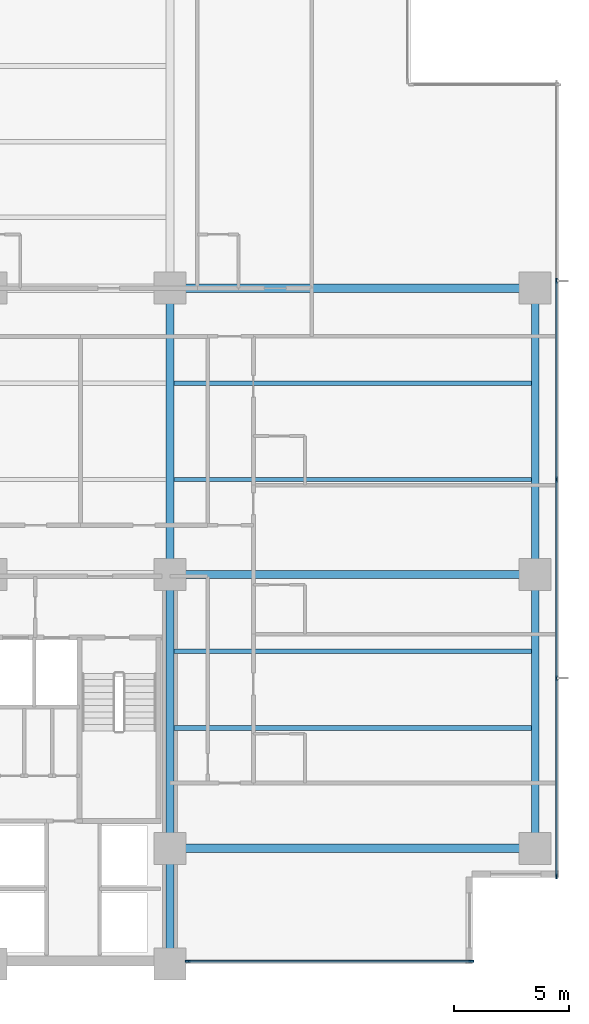
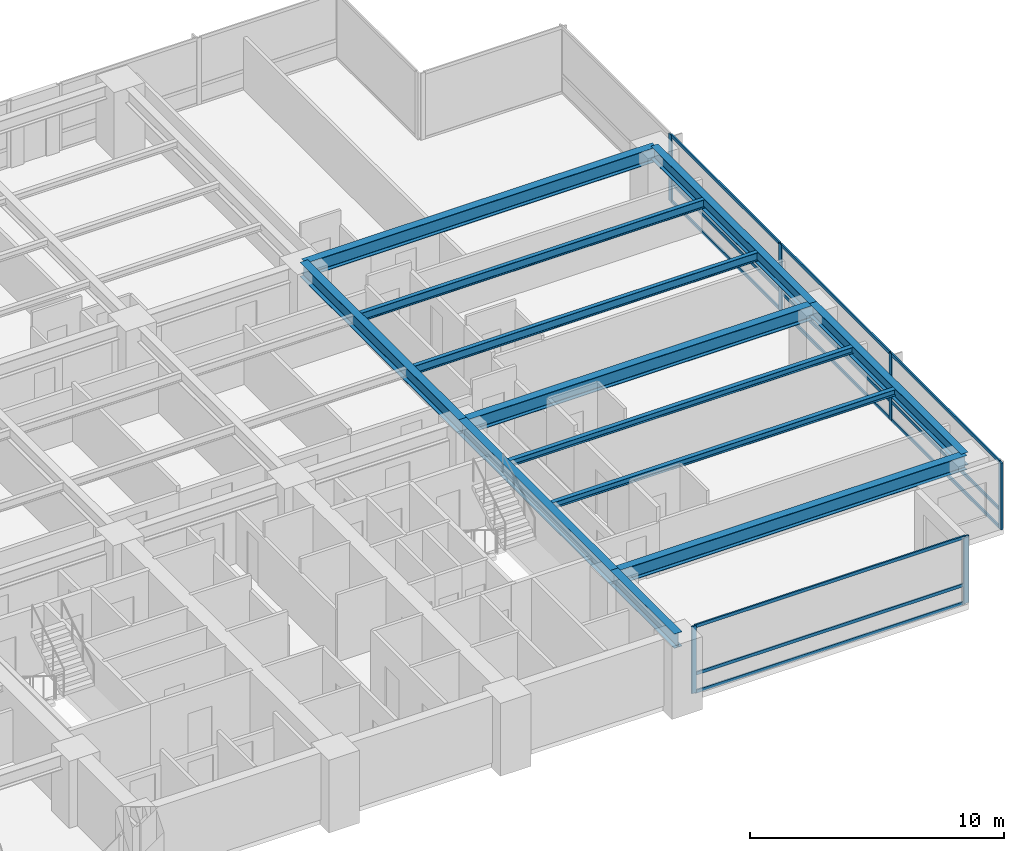
# One storey, part 3 of 16: 18 members, 12 beams, 2 elements without a shape of their own.
"""IFC4 building model written with IfcOpenShell, lengths in metres."""

from ifc_helpers import new_model, si_unit, direction, frame, origin, origin_2d, place, context, subcontext, project, spatial, rectangle, i_section, extrude, material, layer, layer_set, material_profile, profile_set, type_object, element, aggregate, save


model = new_model("IFC4")

# Units and contexts
model_context = context("Model", 3, precision=1e-05, world=origin(), true_north=direction((0.0, 1.0)))
body_context = subcontext(model_context, "Body", "Model", "MODEL_VIEW")
ifc_project = project(units=[si_unit("LENGTHUNIT", "METRE"), si_unit("AREAUNIT", "SQUARE_METRE"), si_unit("VOLUMEUNIT", "CUBIC_METRE"), si_unit("PLANEANGLEUNIT", "RADIAN"), si_unit("MASSUNIT", "GRAM", prefix="KILO")], contexts=[model_context])

# Site, building, storey
site_placement = place(None, origin())
site = spatial("IfcSite", under=ifc_project, at=site_placement, CompositionType="ELEMENT")
building_placement = place(site_placement, origin())
building = spatial("IfcBuilding", under=site, at=building_placement, Name="Qalmaran Belvedere Hotel", CompositionType="ELEMENT")
storey_placement = place(building_placement, frame((0.0, 0.0, 50.89990234375)))
storey = spatial("IfcBuildingStorey", under=building, at=storey_placement, Name="L12", CompositionType="ELEMENT", Elevation=50.89990234375)

# Beams
ifc_material_1 = material(Name="Steel S355JR", Category="steel")
ifc_material_profile_1 = material_profile(ifc_material_1, i_section(OverallWidth=0.202880859375, OverallDepth=0.302978515625, WebThickness=0.007568359375, FlangeThickness=0.01318359375, FilletRadius=0.012939453125, at=origin_2d()), Name="W310X60")
ifc_profile_set_1 = profile_set([ifc_material_profile_1], Name="Steel S355JR")
beam_type_1 = type_object("IfcBeamType", Name="BM-JST-W310X60", PredefinedType="JOIST", material=ifc_profile_set_1)
for number, where, z_axis, x_axis, name in (
    (1, (44.9755859375, 13.800048828125, 3.068603515625), (1.0, 0.0, 0.0), (0.0, 1.0, 0.0), "L12 East Wing Joist 039"),
    (2, (44.9755859375, 17.14990234375, 3.068603515625), (1.0, 0.0, 0.0), (0.0, 1.0, 0.0), "L12 East Wing Joist 041"),
):
    element("IfcBeam", number, at=place(storey_placement, frame(where, z_axis=z_axis, x_axis=x_axis)), inside=storey, type_object=beam_type_1, Name=name, PredefinedType="JOIST", context=body_context, shape_type="SweptSolid", body=[
        extrude(i_section(OverallWidth=0.202880859375, OverallDepth=0.302978515625, WebThickness=0.007568359375, FlangeThickness=0.01318359375, FilletRadius=0.012939453125, at=origin_2d()), origin(), (0.0, 0.0, 1.0), 15.61279296875),
    ])
ifc_material_profile_2 = material_profile(ifc_material_1, i_section(OverallWidth=0.180908203125, OverallDepth=0.4169921875, WebThickness=0.010986328125, FlangeThickness=0.018310546875, FilletRadius=0.014892578125, at=origin_2d()), Name="W410X85")
ifc_profile_set_2 = profile_set([ifc_material_profile_2], Name="Steel S355JR")
beam_type_2 = type_object("IfcBeamType", Name="BM-SB1-W410X85", PredefinedType="BEAM", material=ifc_profile_set_2)
for number, where, z_axis, x_axis, name in (
    (3, (44.9755859375, 24.64990234375, 3.01171875), (1.0, 0.0, 0.0), (0.0, 1.0, 0.0), "L12 East Secondary Beam 032"),
    (4, (44.9755859375, 28.85009765625, 3.01171875), (1.0, 0.0, 0.0), (0.0, 1.0, 0.0), "L12 East Secondary Beam 037"),
):
    element("IfcBeam", number, at=place(storey_placement, frame(where, z_axis=z_axis, x_axis=x_axis)), inside=storey, type_object=beam_type_2, Name=name, PredefinedType="BEAM", context=body_context, shape_type="SweptSolid", body=[
        extrude(i_section(OverallWidth=0.180908203125, OverallDepth=0.4169921875, WebThickness=0.010986328125, FlangeThickness=0.018310546875, FilletRadius=0.014892578125, at=origin_2d()), origin(), (0.0, 0.0, 1.0), 15.61279296875),
    ])
ifc_material_profile_3 = material_profile(ifc_material_1, i_section(OverallWidth=0.326904296875, OverallDepth=0.6220703125, WebThickness=0.015380859375, FlangeThickness=0.0244140625, FilletRadius=0.02001953125, at=origin_2d()), Name="W610X195")
ifc_profile_set_3 = profile_set([ifc_material_profile_3], Name="Steel S355JR")
beam_type_3 = type_object("IfcBeamType", Name="BM-SP1-W610X195", PredefinedType="SPANDREL", material=ifc_profile_set_3)
beam_1_placement = place(storey_placement, frame((60.75, 8.550048828125, 2.9091796875), z_axis=(0.0, 1.0, 0.0), x_axis=(-1.0, 0.0, 0.0)))
element("IfcBeam", 5, at=beam_1_placement, inside=storey, type_object=beam_type_3, Name="L12 Perimeter Spandrel 03", PredefinedType="SPANDREL", context=body_context, shape_type="SweptSolid", body=[
    extrude(i_section(OverallWidth=0.326904296875, OverallDepth=0.6220703125, WebThickness=0.015380859375, FlangeThickness=0.0244140625, FilletRadius=0.02001953125, at=origin_2d()), origin(), (0.0, 0.0, 1.0), 11.949951171875),
])
beam_2_placement = place(storey_placement, frame((60.75, 20.5, 2.9091796875), z_axis=(0.0, 1.0, 0.0), x_axis=(-1.0, 0.0, 0.0)))
element("IfcBeam", 6, at=beam_2_placement, inside=storey, type_object=beam_type_3, Name="L12 Perimeter Spandrel 04", PredefinedType="SPANDREL", context=body_context, shape_type="SweptSolid", body=[
    extrude(i_section(OverallWidth=0.326904296875, OverallDepth=0.6220703125, WebThickness=0.015380859375, FlangeThickness=0.0244140625, FilletRadius=0.02001953125, at=origin_2d()), origin(), (0.0, 0.0, 1.0), 12.5),
])
ifc_material_profile_4 = material_profile(ifc_material_1, i_section(OverallWidth=0.35498046875, OverallDepth=0.695068359375, WebThickness=0.015380859375, FlangeThickness=0.02490234375, FilletRadius=0.02197265625, at=origin_2d()), Name="W690X217")
ifc_profile_set_4 = profile_set([ifc_material_profile_4], Name="Steel S355JR")
beam_type_4 = type_object("IfcBeamType", Name="BM-Z1-W690X217", PredefinedType="USERDEFINED", material=ifc_profile_set_4)
beam_3_placement = place(storey_placement, frame((44.800048828125, 20.5, 2.87255859375), z_axis=(0.0, 1.0, 0.0), x_axis=(-1.0, 0.0, 0.0)))
element("IfcBeam", 7, at=beam_3_placement, inside=storey, type_object=beam_type_4, Name="L12 Mid-Plate N-S Girder 20", ObjectType="GIRDER", PredefinedType="USERDEFINED", context=body_context, shape_type="SweptSolid", body=[
    extrude(i_section(OverallWidth=0.35498046875, OverallDepth=0.695068359375, WebThickness=0.015380859375, FlangeThickness=0.02490234375, FilletRadius=0.02197265625, at=origin_2d()), origin(), (0.0, 0.0, 1.0), 12.5),
])
beam_4_placement = place(storey_placement, frame((44.800048828125, 3.5, 2.87255859375), z_axis=(0.0, 1.0, 0.0), x_axis=(-1.0, 0.0, 0.0)))
element("IfcBeam", 8, at=beam_4_placement, inside=storey, type_object=beam_type_4, Name="L12 East Core Edge Girder A", ObjectType="GIRDER", PredefinedType="USERDEFINED", context=body_context, shape_type="SweptSolid", body=[
    extrude(i_section(OverallWidth=0.35498046875, OverallDepth=0.695068359375, WebThickness=0.015380859375, FlangeThickness=0.02490234375, FilletRadius=0.02197265625, at=origin_2d()), origin(), (0.0, 0.0, 1.0), 5.050048828125),
])
beam_5_placement = place(storey_placement, frame((44.800048828125, 8.550048828125, 2.87255859375), z_axis=(0.0, 1.0, 0.0), x_axis=(-1.0, 0.0, 0.0)))
element("IfcBeam", 9, at=beam_5_placement, inside=storey, type_object=beam_type_4, Name="L12 East Core Edge Girder B", ObjectType="GIRDER", PredefinedType="USERDEFINED", context=body_context, shape_type="SweptSolid", body=[
    extrude(i_section(OverallWidth=0.35498046875, OverallDepth=0.695068359375, WebThickness=0.015380859375, FlangeThickness=0.02490234375, FilletRadius=0.02197265625, at=origin_2d()), origin(), (0.0, 0.0, 1.0), 11.949951171875),
])
for number, where, z_axis, x_axis, name in (
    (10, (44.800048828125, 8.550048828125, 2.87255859375), (1.0, 0.0, 0.0), (0.0, 1.0, 0.0), "L12 East Wing Girder 25"),
    (11, (44.800048828125, 20.5, 2.87255859375), (1.0, 0.0, 0.0), (0.0, 1.0, 0.0), "L12 East Wing Girder 26"),
    (12, (44.800048828125, 33.0, 2.87255859375), (1.0, 0.0, 0.0), (0.0, 1.0, 0.0), "L12 East Wing Girder 27"),
):
    element("IfcBeam", number, at=place(storey_placement, frame(where, z_axis=z_axis, x_axis=x_axis)), inside=storey, type_object=beam_type_4, Name=name, ObjectType="GIRDER", PredefinedType="USERDEFINED", context=body_context, shape_type="SweptSolid", body=[
        extrude(i_section(OverallWidth=0.35498046875, OverallDepth=0.695068359375, WebThickness=0.015380859375, FlangeThickness=0.02490234375, FilletRadius=0.02197265625, at=origin_2d()), origin(), (0.0, 0.0, 1.0), 15.949951171875),
    ])

# Curtain wall, members
ifc_material_2 = material(Name="Anodised Bronze Aluminium", Category="aluminium")
ifc_layer = layer(ifc_material_2, 0.2099609375, Name="Anodised Bronze Aluminium")
ifc_layer_set = layer_set([ifc_layer], Name="Anodised Bronze Aluminium")
curtain_wall_type = type_object("IfcCurtainWallType", Name="CW2-TOWER-LOWER", PredefinedType="NOTDEFINED", material=ifc_layer_set)
curtain_wall_1_placement = place(storey_placement, origin())
curtain_wall_1 = element("IfcCurtainWall", 13, at=curtain_wall_1_placement, inside=storey, type_object=curtain_wall_type, Name="L12 Curtain Wall CW2", PredefinedType="NOTDEFINED")
ifc_material_profile_5 = material_profile(ifc_material_2, rectangle(XDim=0.074951171875, YDim=0.219970703125, at=origin_2d()), Name="CWM75X220")
ifc_profile_set_5 = profile_set([ifc_material_profile_5], Name="Anodised Bronze Aluminium")
member_type_1 = type_object("IfcMemberType", Name="CWM-75X220", PredefinedType="MULLION", material=ifc_profile_set_5)
member_1_placement = place(storey_placement, frame((45.577392578125, 3.6201171875, 0.0), z_axis=(0.0, 0.0, 1.0), x_axis=(0.0, 1.0, 0.0)))
member_1 = element("IfcMember", 14, at=member_1_placement, type_object=member_type_1, Name="CW2 mullion 1", PredefinedType="MULLION", context=body_context, shape_type="SweptSolid", body=[
    extrude(rectangle(XDim=0.074951171875, YDim=0.219970703125, at=origin_2d()), origin(), (0.0, 0.0, 1.0), 3.22021484375),
])
member_2_placement = place(storey_placement, frame((57.96240234375, 3.6201171875, 0.0), z_axis=(0.0, 0.0, 1.0), x_axis=(0.0, 1.0, 0.0)))
member_2 = element("IfcMember", 15, at=member_2_placement, type_object=member_type_1, Name="CW2 mullion 2", PredefinedType="MULLION", context=body_context, shape_type="SweptSolid", body=[
    extrude(rectangle(XDim=0.074951171875, YDim=0.219970703125, at=origin_2d()), origin(), (0.0, 0.0, 1.0), 3.22021484375),
])

curtain_wall_2_placement = place(storey_placement, origin())
curtain_wall_2 = element("IfcCurtainWall", 16, at=curtain_wall_2_placement, inside=storey, type_object=curtain_wall_type, Name="L12 Curtain Wall CW2", PredefinedType="NOTDEFINED")
member_3_placement = place(storey_placement, frame((61.679931640625, 7.33740234375, 0.0), z_axis=(0.0, 0.0, 1.0), x_axis=(-1.0, 0.0, 0.0)))
member_3 = element("IfcMember", 17, at=member_3_placement, type_object=member_type_1, Name="CW2 mullion 1", PredefinedType="MULLION", context=body_context, shape_type="SweptSolid", body=[
    extrude(rectangle(XDim=0.074951171875, YDim=0.219970703125, at=origin_2d()), origin(), (0.0, 0.0, 1.0), 3.22021484375),
])
member_4_placement = place(storey_placement, frame((61.679931640625, 15.97509765625, 0.0), z_axis=(0.0, 0.0, 1.0), x_axis=(-1.0, 0.0, 0.0)))
member_4 = element("IfcMember", 18, at=member_4_placement, type_object=member_type_1, Name="CW2 mullion 2", PredefinedType="MULLION", context=body_context, shape_type="SweptSolid", body=[
    extrude(rectangle(XDim=0.074951171875, YDim=0.219970703125, at=origin_2d()), origin(), (0.0, 0.0, 1.0), 3.22021484375),
])
member_5_placement = place(storey_placement, frame((61.679931640625, 24.64990234375, 0.0), z_axis=(0.0, 0.0, 1.0), x_axis=(-1.0, 0.0, 0.0)))
member_5 = element("IfcMember", 19, at=member_5_placement, type_object=member_type_1, Name="CW2 mullion 3", PredefinedType="MULLION", context=body_context, shape_type="SweptSolid", body=[
    extrude(rectangle(XDim=0.074951171875, YDim=0.219970703125, at=origin_2d()), origin(), (0.0, 0.0, 1.0), 3.22021484375),
])
member_6_placement = place(storey_placement, frame((61.679931640625, 33.324951171875, 0.0), z_axis=(0.0, 0.0, 1.0), x_axis=(-1.0, 0.0, 0.0)))
member_6 = element("IfcMember", 20, at=member_6_placement, type_object=member_type_1, Name="CW2 mullion 4", PredefinedType="MULLION", context=body_context, shape_type="SweptSolid", body=[
    extrude(rectangle(XDim=0.074951171875, YDim=0.219970703125, at=origin_2d()), origin(), (0.0, 0.0, 1.0), 3.22021484375),
])

# Member
ifc_material_profile_6 = material_profile(ifc_material_2, rectangle(XDim=0.070068359375, YDim=0.14990234375, at=origin_2d()), Name="CWT70X150")
ifc_profile_set_6 = profile_set([ifc_material_profile_6], Name="Anodised Bronze Aluminium")
member_type_2 = type_object("IfcMemberType", Name="CWT-70X150", PredefinedType="USERDEFINED", material=ifc_profile_set_6)
member_7_placement = place(storey_placement, frame((45.614990234375, 3.6201171875, 0.03515625), z_axis=(1.0, 0.0, 0.0), x_axis=(0.0, 1.0, 0.0)))
member_7 = element("IfcMember", 21, at=member_7_placement, type_object=member_type_2, Name="CW2 transom 1.1", ObjectType="TRANSOM", PredefinedType="USERDEFINED", context=body_context, shape_type="SweptSolid", body=[
    extrude(rectangle(XDim=0.070068359375, YDim=0.14990234375, at=origin_2d()), origin(), (0.0, 0.0, 1.0), 12.31005859375),
])

member_8_placement = place(storey_placement, frame((45.614990234375, 3.6201171875, 0.901611328125), z_axis=(1.0, 0.0, 0.0), x_axis=(0.0, 1.0, 0.0)))
member_8 = element("IfcMember", 22, at=member_8_placement, type_object=member_type_2, Name="CW2 transom 1.2", ObjectType="TRANSOM", PredefinedType="USERDEFINED", context=body_context, shape_type="SweptSolid", body=[
    extrude(rectangle(XDim=0.070068359375, YDim=0.14990234375, at=origin_2d()), origin(), (0.0, 0.0, 1.0), 12.31005859375),
])

member_9_placement = place(storey_placement, frame((45.614990234375, 3.6201171875, 3.18505859375), z_axis=(1.0, 0.0, 0.0), x_axis=(0.0, 1.0, 0.0)))
member_9 = element("IfcMember", 23, at=member_9_placement, type_object=member_type_2, Name="CW2 transom 1.3", ObjectType="TRANSOM", PredefinedType="USERDEFINED", context=body_context, shape_type="SweptSolid", body=[
    extrude(rectangle(XDim=0.070068359375, YDim=0.14990234375, at=origin_2d()), origin(), (0.0, 0.0, 1.0), 12.31005859375),
])

aggregate(curtain_wall_1, [member_1, member_2, member_7, member_8, member_9])

member_10_placement = place(storey_placement, frame((61.679931640625, 7.375, 0.03515625), z_axis=(0.0, 1.0, 0.0), x_axis=(-1.0, 0.0, 0.0)))
member_10 = element("IfcMember", 24, at=member_10_placement, type_object=member_type_2, Name="CW2 transom 1.1", ObjectType="TRANSOM", PredefinedType="USERDEFINED", context=body_context, shape_type="SweptSolid", body=[
    extrude(rectangle(XDim=0.070068359375, YDim=0.14990234375, at=origin_2d()), origin(), (0.0, 0.0, 1.0), 8.5625),
])

member_11_placement = place(storey_placement, frame((61.679931640625, 7.375, 0.901611328125), z_axis=(0.0, 1.0, 0.0), x_axis=(-1.0, 0.0, 0.0)))
member_11 = element("IfcMember", 25, at=member_11_placement, type_object=member_type_2, Name="CW2 transom 1.2", ObjectType="TRANSOM", PredefinedType="USERDEFINED", context=body_context, shape_type="SweptSolid", body=[
    extrude(rectangle(XDim=0.070068359375, YDim=0.14990234375, at=origin_2d()), origin(), (0.0, 0.0, 1.0), 8.5625),
])

member_12_placement = place(storey_placement, frame((61.679931640625, 7.375, 3.18505859375), z_axis=(0.0, 1.0, 0.0), x_axis=(-1.0, 0.0, 0.0)))
member_12 = element("IfcMember", 26, at=member_12_placement, type_object=member_type_2, Name="CW2 transom 1.3", ObjectType="TRANSOM", PredefinedType="USERDEFINED", context=body_context, shape_type="SweptSolid", body=[
    extrude(rectangle(XDim=0.070068359375, YDim=0.14990234375, at=origin_2d()), origin(), (0.0, 0.0, 1.0), 8.5625),
])

member_13_placement = place(storey_placement, frame((61.679931640625, 16.012451171875, 0.03515625), z_axis=(0.0, 1.0, 0.0), x_axis=(-1.0, 0.0, 0.0)))
member_13 = element("IfcMember", 27, at=member_13_placement, type_object=member_type_2, Name="CW2 transom 2.1", ObjectType="TRANSOM", PredefinedType="USERDEFINED", context=body_context, shape_type="SweptSolid", body=[
    extrude(rectangle(XDim=0.070068359375, YDim=0.14990234375, at=origin_2d()), origin(), (0.0, 0.0, 1.0), 8.60009765625),
])

member_14_placement = place(storey_placement, frame((61.679931640625, 16.012451171875, 0.901611328125), z_axis=(0.0, 1.0, 0.0), x_axis=(-1.0, 0.0, 0.0)))
member_14 = element("IfcMember", 28, at=member_14_placement, type_object=member_type_2, Name="CW2 transom 2.2", ObjectType="TRANSOM", PredefinedType="USERDEFINED", context=body_context, shape_type="SweptSolid", body=[
    extrude(rectangle(XDim=0.070068359375, YDim=0.14990234375, at=origin_2d()), origin(), (0.0, 0.0, 1.0), 8.60009765625),
])

member_15_placement = place(storey_placement, frame((61.679931640625, 16.012451171875, 3.18505859375), z_axis=(0.0, 1.0, 0.0), x_axis=(-1.0, 0.0, 0.0)))
member_15 = element("IfcMember", 29, at=member_15_placement, type_object=member_type_2, Name="CW2 transom 2.3", ObjectType="TRANSOM", PredefinedType="USERDEFINED", context=body_context, shape_type="SweptSolid", body=[
    extrude(rectangle(XDim=0.070068359375, YDim=0.14990234375, at=origin_2d()), origin(), (0.0, 0.0, 1.0), 8.60009765625),
])

member_16_placement = place(storey_placement, frame((61.679931640625, 24.6875, 0.03515625), z_axis=(0.0, 1.0, 0.0), x_axis=(-1.0, 0.0, 0.0)))
member_16 = element("IfcMember", 30, at=member_16_placement, type_object=member_type_2, Name="CW2 transom 3.1", ObjectType="TRANSOM", PredefinedType="USERDEFINED", context=body_context, shape_type="SweptSolid", body=[
    extrude(rectangle(XDim=0.070068359375, YDim=0.14990234375, at=origin_2d()), origin(), (0.0, 0.0, 1.0), 8.60009765625),
])

member_17_placement = place(storey_placement, frame((61.679931640625, 24.6875, 0.901611328125), z_axis=(0.0, 1.0, 0.0), x_axis=(-1.0, 0.0, 0.0)))
member_17 = element("IfcMember", 31, at=member_17_placement, type_object=member_type_2, Name="CW2 transom 3.2", ObjectType="TRANSOM", PredefinedType="USERDEFINED", context=body_context, shape_type="SweptSolid", body=[
    extrude(rectangle(XDim=0.070068359375, YDim=0.14990234375, at=origin_2d()), origin(), (0.0, 0.0, 1.0), 8.60009765625),
])

member_18_placement = place(storey_placement, frame((61.679931640625, 24.6875, 3.18505859375), z_axis=(0.0, 1.0, 0.0), x_axis=(-1.0, 0.0, 0.0)))
member_18 = element("IfcMember", 32, at=member_18_placement, type_object=member_type_2, Name="CW2 transom 3.3", ObjectType="TRANSOM", PredefinedType="USERDEFINED", context=body_context, shape_type="SweptSolid", body=[
    extrude(rectangle(XDim=0.070068359375, YDim=0.14990234375, at=origin_2d()), origin(), (0.0, 0.0, 1.0), 8.60009765625),
])

aggregate(curtain_wall_2, [member_3, member_4, member_5, member_6, member_10, member_11, member_12, member_13, member_14, member_15, member_16, member_17, member_18])

save(model, "model.ifc")
